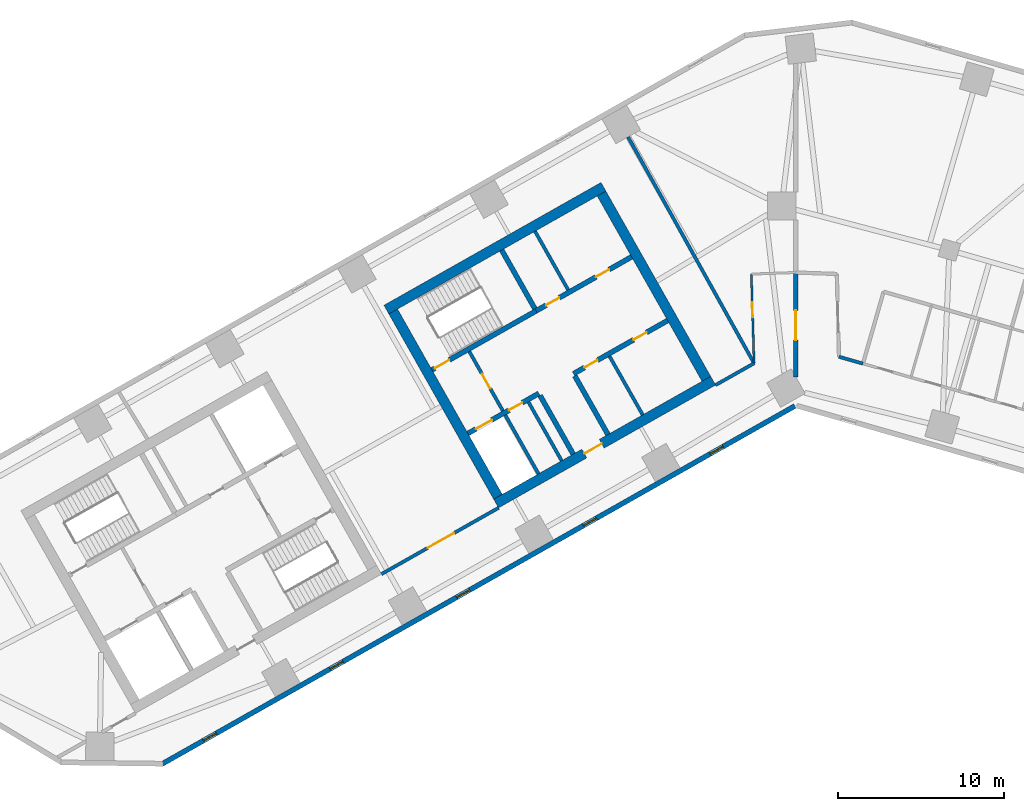
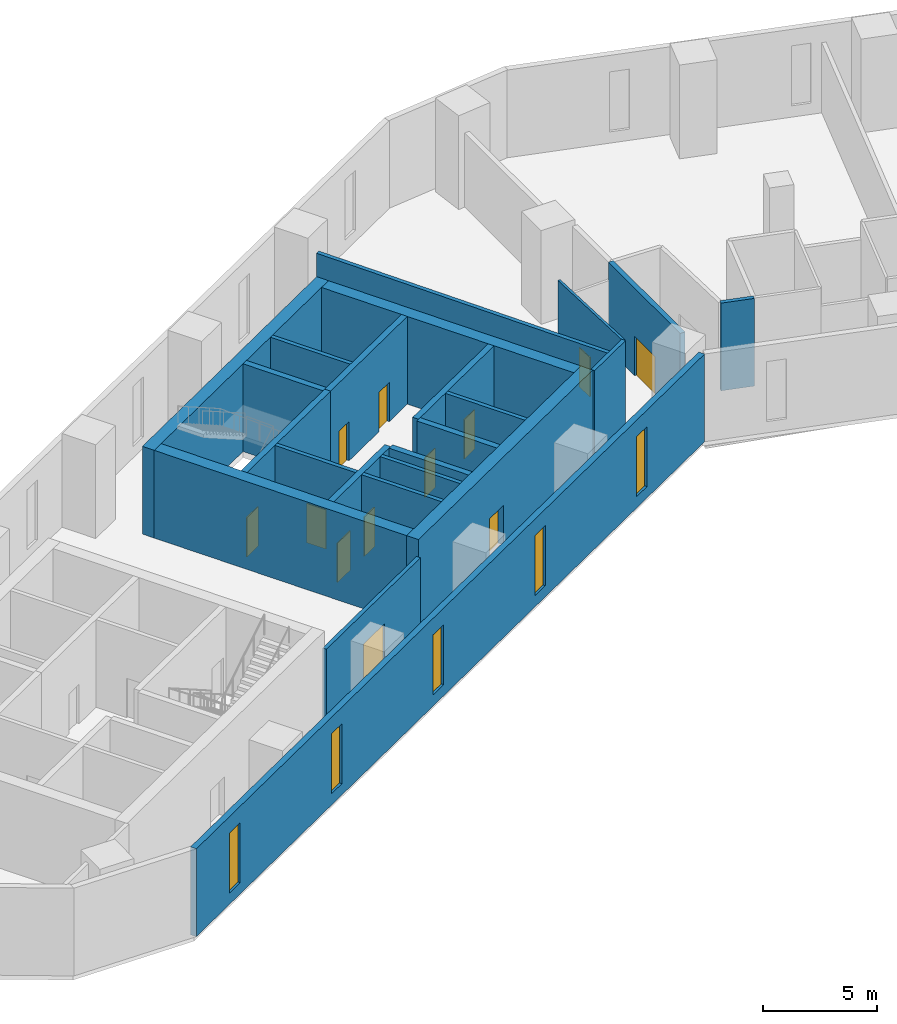
# One storey, part 4 of 10: 23 walls, 12 doors, 5 windows, 17 openings.
"""IFC4 building model written with IfcOpenShell, lengths in metres."""

from ifc_helpers import new_model, si_unit, direction, frame, frame_2d, origin, place, context, subcontext, project, spatial, rectangle, extrude, material, layer, layer_set, type_object, element, fill, save


model = new_model("IFC4")

# Units and contexts
model_context = context("Model", 3, precision=1e-05, world=origin(), true_north=direction((0.0, 1.0)))
body_context = subcontext(model_context, "Body", "Model", "MODEL_VIEW")
ifc_project = project(units=[si_unit("LENGTHUNIT", "METRE"), si_unit("AREAUNIT", "SQUARE_METRE"), si_unit("VOLUMEUNIT", "CUBIC_METRE"), si_unit("PLANEANGLEUNIT", "RADIAN"), si_unit("MASSUNIT", "GRAM", prefix="KILO")], contexts=[model_context])

# Site, building, storey
site_placement = place(None, origin())
site = spatial("IfcSite", under=ifc_project, at=site_placement, CompositionType="ELEMENT")
building_placement = place(site_placement, origin())
building = spatial("IfcBuilding", under=site, at=building_placement, Name="Binnacle Exchange Tower", CompositionType="ELEMENT")
storey_placement = place(building_placement, frame((0.0, 0.0, 61.5)))
storey = spatial("IfcBuildingStorey", under=building, at=storey_placement, Name="L12", CompositionType="ELEMENT", Elevation=61.5)

# Walls
ifc_material_1 = material(Name="Gypsum partition fire rated")
ifc_layer_1 = layer(ifc_material_1, 0.199951171875)
ifc_layer_set_1 = layer_set([ifc_layer_1], Name="Core partition 200")
wall_type_1 = type_object("IfcWallType", Name="Core partition 200", PredefinedType="PARTITIONING", material=ifc_layer_set_1)
for number, where, z_axis, x_axis, name in (
    (1, (-15.6845703125, 58.4794921875, 0.0), (0.0, 0.0, 1.0), (0.49241474071, -0.870360685654, 0.0), "Core wall CRWC17"),
    (2, (-11.201904296875, 50.96240234375, 0.0), (0.0, 0.0, 1.0), (0.49241474071, -0.870360685654, 0.0), "Core wall CRWC19"),
):
    element("IfcWall", number, at=place(storey_placement, frame(where, z_axis=z_axis, x_axis=x_axis)), inside=storey, type_object=wall_type_1, Name=name, PredefinedType="PARTITIONING", context=body_context, shape_type="SweptSolid", body=[
        extrude(rectangle(XDim=4.05029296875, YDim=0.199951171875, at=frame_2d((2.025146484375, 0.0))), origin(), (0.0, 0.0, 1.0), 4.679931640625),
    ])

# Wall, openings, doors
ifc_material_2 = material(Name="Concrete C70/85", Category="concrete")
ifc_layer_2 = layer(ifc_material_2, 0.300048828125)
ifc_layer_set_2 = layer_set([ifc_layer_2], Name="Core wall - front 300")
wall_type_2 = type_object("IfcWallType", Name="Core wall - front 300", PredefinedType="SOLIDWALL", material=ifc_layer_set_2)
wall_1_placement = place(storey_placement, frame((-19.718017578125, 46.31640625, 0.0), z_axis=(0.0, 0.0, 1.0), x_axis=(0.870353963862, 0.492426621528, 0.0)))
wall_1 = element("IfcWall", 3, at=wall_1_placement, inside=storey, type_object=wall_type_2, Name="Core wall CRWC2", PredefinedType="SOLIDWALL", context=body_context, shape_type="SweptSolid", body=[
    extrude(rectangle(XDim=4.89990234375, YDim=0.300048828125, at=frame_2d((2.449951171875, 0.0))), origin(), (0.0, 0.0, 1.0), 4.679931640625),
])
opening_1_placement = place(wall_1_placement, frame((0.550048828125, 0.0, 0.0)))
opening_1 = element("IfcOpeningElement", 4, at=opening_1_placement, cuts=wall_1, Name="Opening LD14", PredefinedType="OPENING", context=body_context, shape_type="SweptSolid", body=[
    extrude(rectangle(XDim=1.10009765625, YDim=2.10009765625, at=frame_2d((0.550048828125, 1.050048828125))), frame((0.0, 0.159912109375, 0.0), z_axis=(0.0, -1.0, 0.0), x_axis=(1.0, 0.0, 0.0)), (0.0, 0.0, 1.0), 0.320068359375),
])
opening_2_placement = place(wall_1_placement, frame((2.85009765625, 0.0, 0.0)))
opening_2 = element("IfcOpeningElement", 5, at=opening_2_placement, cuts=wall_1, Name="Opening DC14", PredefinedType="OPENING", context=body_context, shape_type="SweptSolid", body=[
    extrude(rectangle(XDim=0.89990234375, YDim=2.10009765625, at=frame_2d((0.449951171875, 1.050048828125))), frame((0.0, 0.159912109375, 0.0), z_axis=(0.0, -1.0, 0.0), x_axis=(1.0, 0.0, 0.0)), (0.0, 0.0, 1.0), 0.320068359375),
])
ifc_material_3 = material(Name="Steel door leaf", Category="steel")
door_type_1 = type_object("IfcDoorType", Name="Fire door - lift landing 1100", OperationType="NOTDEFINED", PredefinedType="DOOR", material=ifc_material_3)
door_1_placement = place(opening_1_placement, origin())
door_1 = element("IfcDoor", 6, at=door_1_placement, inside=storey, type_object=door_type_1, Name="Landing door LD14 L12", OperationType="DOUBLE_DOOR_SLIDING", OverallHeight=2.10009765625, OverallWidth=1.10009765625, PredefinedType="DOOR", context=body_context, shape_type="SweptSolid", body=[
    extrude(rectangle(XDim=1.10009765625, YDim=2.10009765625, at=frame_2d((0.550048828125, 1.050048828125))), frame((0.0, 0.02490234375, 0.0), z_axis=(0.0, -1.0, 0.0), x_axis=(1.0, 0.0, 0.0)), (0.0, 0.0, 1.0), 0.050048828125),
])
fill(opening_1, door_1)
door_type_2 = type_object("IfcDoorType", Name="Fire door 900", OperationType="NOTDEFINED", PredefinedType="DOOR", material=ifc_material_3)
door_2_placement = place(opening_2_placement, frame((0.89990234375, 0.0, 0.0), z_axis=(0.0, 0.0, 1.0), x_axis=(-1.0, 0.0, 0.0)))
door_2 = element("IfcDoor", 7, at=door_2_placement, inside=storey, type_object=door_type_2, Name="Core room door ELECTRICAL ROOM", OperationType="SINGLE_SWING_LEFT", OverallHeight=2.10009765625, OverallWidth=0.89990234375, PredefinedType="DOOR", context=body_context, shape_type="SweptSolid", body=[
    extrude(rectangle(XDim=0.89990234375, YDim=2.10009765625, at=frame_2d((0.449951171875, 1.050048828125))), frame((0.0, 0.02490234375, 0.0), z_axis=(0.0, -1.0, 0.0), x_axis=(1.0, 0.0, 0.0)), (0.0, 0.0, 1.0), 0.050048828125),
])
fill(opening_2, door_2)

wall_2_placement = place(storey_placement, frame((-13.364501953125, 49.910888671875, 0.0), z_axis=(0.0, 0.0, 1.0), x_axis=(0.870340995471, 0.49244954219, 0.0)))
wall_2 = element("IfcWall", 8, at=wall_2_placement, inside=storey, type_object=wall_type_2, Name="Core wall CRWC3", PredefinedType="SOLIDWALL", context=body_context, shape_type="SweptSolid", body=[
    extrude(rectangle(XDim=6.5, YDim=0.300048828125, at=frame_2d((3.25, 0.0))), origin(), (0.0, 0.0, 1.0), 4.679931640625),
])
opening_3_placement = place(wall_2_placement, frame((0.75, 0.0, 0.0)))
opening_3 = element("IfcOpeningElement", 9, at=opening_3_placement, cuts=wall_2, Name="Opening DC18", PredefinedType="OPENING", context=body_context, shape_type="SweptSolid", body=[
    extrude(rectangle(XDim=0.89990234375, YDim=2.10009765625, at=frame_2d((0.449951171875, 1.050048828125))), frame((0.0, 0.159912109375, 0.0), z_axis=(0.0, -1.0, 0.0), x_axis=(1.0, 0.0, 0.0)), (0.0, 0.0, 1.0), 0.320068359375),
])
opening_4_placement = place(wall_2_placement, frame((4.14990234375, 0.0, 0.0)))
opening_4 = element("IfcOpeningElement", 10, at=opening_4_placement, cuts=wall_2, Name="Opening DC19", PredefinedType="OPENING", context=body_context, shape_type="SweptSolid", body=[
    extrude(rectangle(XDim=0.89990234375, YDim=2.10009765625, at=frame_2d((0.449951171875, 1.050048828125))), frame((0.0, 0.159912109375, 0.0), z_axis=(0.0, -1.0, 0.0), x_axis=(1.0, 0.0, 0.0)), (0.0, 0.0, 1.0), 0.320068359375),
])
door_3_placement = place(opening_3_placement, frame((0.89990234375, 0.0, 0.0), z_axis=(0.0, 0.0, 1.0), x_axis=(-1.0, 0.0, 0.0)))
door_3 = element("IfcDoor", 11, at=door_3_placement, inside=storey, type_object=door_type_2, Name="Core room door COMMS RISER ROOM", OperationType="SINGLE_SWING_RIGHT", OverallHeight=2.10009765625, OverallWidth=0.89990234375, PredefinedType="DOOR", context=body_context, shape_type="SweptSolid", body=[
    extrude(rectangle(XDim=0.89990234375, YDim=2.10009765625, at=frame_2d((0.449951171875, 1.050048828125))), frame((0.0, 0.02490234375, 0.0), z_axis=(0.0, -1.0, 0.0), x_axis=(1.0, 0.0, 0.0)), (0.0, 0.0, 1.0), 0.050048828125),
])
fill(opening_3, door_3)
door_4_placement = place(opening_4_placement, frame((0.89990234375, 0.0, 0.0), z_axis=(0.0, 0.0, 1.0), x_axis=(-1.0, 0.0, 0.0)))
door_4 = element("IfcDoor", 12, at=door_4_placement, inside=storey, type_object=door_type_2, Name="Core room door TELECOM RISER ROOM", OperationType="SINGLE_SWING_LEFT", OverallHeight=2.10009765625, OverallWidth=0.89990234375, PredefinedType="DOOR", context=body_context, shape_type="SweptSolid", body=[
    extrude(rectangle(XDim=0.89990234375, YDim=2.10009765625, at=frame_2d((0.449951171875, 1.050048828125))), frame((0.0, 0.02490234375, 0.0), z_axis=(0.0, -1.0, 0.0), x_axis=(1.0, 0.0, 0.0)), (0.0, 0.0, 1.0), 0.050048828125),
])
fill(opening_4, door_4)

wall_3_placement = place(storey_placement, frame((-15.6181640625, 53.69140625, 0.0), z_axis=(0.0, 0.0, 1.0), x_axis=(0.870356769198, 0.492421663121, 0.0)))
wall_3 = element("IfcWall", 13, at=wall_3_placement, inside=storey, type_object=wall_type_2, Name="Core wall CRWC5", PredefinedType="SOLIDWALL", context=body_context, shape_type="SweptSolid", body=[
    extrude(rectangle(XDim=6.60009765625, YDim=0.300048828125, at=frame_2d((3.300048828125, 0.0))), origin(), (0.0, 0.0, 1.0), 4.679931640625),
])
opening_5_placement = place(wall_3_placement, frame((0.699951171875, 0.0, 0.0)))
opening_5 = element("IfcOpeningElement", 14, at=opening_5_placement, cuts=wall_3, Name="Opening DC10", PredefinedType="OPENING", context=body_context, shape_type="SweptSolid", body=[
    extrude(rectangle(XDim=0.89990234375, YDim=2.10009765625, at=frame_2d((0.449951171875, 1.050048828125))), frame((0.0, 0.159912109375, 0.0), z_axis=(0.0, -1.0, 0.0), x_axis=(1.0, 0.0, 0.0)), (0.0, 0.0, 1.0), 0.320068359375),
])
opening_6_placement = place(wall_3_placement, frame((4.14990234375, 0.0, 0.0)))
opening_6 = element("IfcOpeningElement", 15, at=opening_6_placement, cuts=wall_3, Name="Opening DC11", PredefinedType="OPENING", context=body_context, shape_type="SweptSolid", body=[
    extrude(rectangle(XDim=0.89990234375, YDim=2.10009765625, at=frame_2d((0.449951171875, 1.050048828125))), frame((0.0, 0.159912109375, 0.0), z_axis=(0.0, -1.0, 0.0), x_axis=(1.0, 0.0, 0.0)), (0.0, 0.0, 1.0), 0.320068359375),
])
door_5_placement = place(opening_5_placement, origin())
door_5 = element("IfcDoor", 16, at=door_5_placement, inside=storey, type_object=door_type_2, Name="Core room door FIBRE ENTRY ROOM", OperationType="SINGLE_SWING_LEFT", OverallHeight=2.10009765625, OverallWidth=0.89990234375, PredefinedType="DOOR", context=body_context, shape_type="SweptSolid", body=[
    extrude(rectangle(XDim=0.89990234375, YDim=2.10009765625, at=frame_2d((0.449951171875, 1.050048828125))), frame((0.0, 0.02490234375, 0.0), z_axis=(0.0, -1.0, 0.0), x_axis=(1.0, 0.0, 0.0)), (0.0, 0.0, 1.0), 0.050048828125),
])
fill(opening_5, door_5)
door_6_placement = place(opening_6_placement, origin())
door_6 = element("IfcDoor", 17, at=door_6_placement, inside=storey, type_object=door_type_2, Name="Core room door PANTRY", OperationType="SINGLE_SWING_RIGHT", OverallHeight=2.10009765625, OverallWidth=0.89990234375, PredefinedType="DOOR", context=body_context, shape_type="SweptSolid", body=[
    extrude(rectangle(XDim=0.89990234375, YDim=2.10009765625, at=frame_2d((0.449951171875, 1.050048828125))), frame((0.0, 0.02490234375, 0.0), z_axis=(0.0, -1.0, 0.0), x_axis=(1.0, 0.0, 0.0)), (0.0, 0.0, 1.0), 0.050048828125),
])
fill(opening_6, door_6)

# Walls
for number, where, z_axis, x_axis, name in (
    (18, (-15.37939453125, 48.5986328125, 0.0), (0.0, 0.0, 1.0), (0.492394910396, -0.870371904542, 0.0), "Core wall CRWC13"),
    (19, (-13.29052734375, 49.780517578125, 0.0), (0.0, 0.0, 1.0), (0.492394910396, -0.870371904542, 0.0), "Core wall CRWC15"),
):
    element("IfcWall", number, at=place(storey_placement, frame(where, z_axis=z_axis, x_axis=x_axis)), inside=storey, type_object=wall_type_2, Name=name, PredefinedType="SOLIDWALL", context=body_context, shape_type="SweptSolid", body=[
        extrude(rectangle(XDim=4.0498046875, YDim=0.300048828125, at=frame_2d((2.02490234375, 0.0))), origin(), (0.0, 0.0, 1.0), 4.679931640625),
    ])

# Wall, opening, door
ifc_layer_3 = layer(ifc_material_2, 0.60009765625)
ifc_layer_set_3 = layer_set([ifc_layer_3], Name="Core wall - outer 600")
wall_type_3 = type_object("IfcWallType", Name="Core wall - outer 600", PredefinedType="SOLIDWALL", material=ifc_layer_set_3)
wall_4_placement = place(storey_placement, frame((-18.0244140625, 42.104248046875, 0.0), z_axis=(0.0, 0.0, 1.0), x_axis=(0.870360574057, 0.492414937962, 0.0)))
wall_4 = element("IfcWall", 20, at=wall_4_placement, inside=storey, type_object=wall_type_3, Name="Core wall CRWC1", PredefinedType="SOLIDWALL", context=body_context, shape_type="SweptSolid", body=[
    extrude(rectangle(XDim=15.0, YDim=0.60009765625, at=frame_2d((7.5, 0.0))), origin(), (0.0, 0.0, 1.0), 4.679931640625),
])
opening_7_placement = place(wall_4_placement, frame((6.10009765625, 0.0, 0.0)))
opening_7 = element("IfcOpeningElement", 21, at=opening_7_placement, cuts=wall_4, Name="Opening DC7", PredefinedType="OPENING", context=body_context, shape_type="SweptSolid", body=[
    extrude(rectangle(XDim=1.199951171875, YDim=2.10009765625, at=frame_2d((0.60009765625, 1.050048828125))), frame((0.0, 0.31005859375, 0.0), z_axis=(0.0, -1.0, 0.0), x_axis=(1.0, 0.0, 0.0)), (0.0, 0.0, 1.0), 0.6201171875),
])
door_type_3 = type_object("IfcDoorType", Name="Fire door 1200", OperationType="NOTDEFINED", PredefinedType="DOOR", material=ifc_material_3)
door_7_placement = place(opening_7_placement, frame((1.199951171875, 0.0, 0.0), z_axis=(0.0, 0.0, 1.0), x_axis=(-1.0, 0.0, 0.0)))
door_7 = element("IfcDoor", 22, at=door_7_placement, inside=storey, type_object=door_type_3, Name="Lift lobby entrance door core C", OperationType="SINGLE_SWING_RIGHT", OverallHeight=2.10009765625, OverallWidth=1.199951171875, PredefinedType="DOOR", context=body_context, shape_type="SweptSolid", body=[
    extrude(rectangle(XDim=1.199951171875, YDim=2.10009765625, at=frame_2d((0.60009765625, 1.050048828125))), frame((0.0, 0.02490234375, 0.0), z_axis=(0.0, -1.0, 0.0), x_axis=(1.0, 0.0, 0.0)), (0.0, 0.0, 1.0), 0.050048828125),
])
fill(opening_7, door_7)

# Walls
wall_5_placement = place(storey_placement, frame((-24.622802734375, 53.76708984375, 0.0), z_axis=(0.0, 0.0, 1.0), x_axis=(0.870356627484, 0.492421913601, 0.0)))
element("IfcWall", 23, at=wall_5_placement, inside=storey, type_object=wall_type_3, Name="Core wall CRWC6", PredefinedType="SOLIDWALL", context=body_context, shape_type="SweptSolid", body=[
    extrude(rectangle(XDim=14.999755859375, YDim=0.60009765625, at=frame_2d((7.5, 0.0))), origin(), (0.0, 0.0, 1.0), 4.679931640625),
])
wall_6_placement = place(storey_placement, frame((-24.214111328125, 53.653564453125, 0.0), z_axis=(0.0, 0.0, 1.0), x_axis=(0.492441221355, -0.870345703448, 0.0)))
element("IfcWall", 24, at=wall_6_placement, inside=storey, type_object=wall_type_3, Name="Core wall CRWC7", PredefinedType="SOLIDWALL", context=body_context, shape_type="SweptSolid", body=[
    extrude(rectangle(XDim=12.800048828125, YDim=0.60009765625, at=frame_2d((6.39990234375, 0.0))), origin(), (0.0, 0.0, 1.0), 4.679931640625),
])
wall_7_placement = place(storey_placement, frame((-11.680908203125, 60.744384765625, 0.0), z_axis=(0.0, 0.0, 1.0), x_axis=(0.492426772896, -0.870353878221, 0.0)))
element("IfcWall", 25, at=wall_7_placement, inside=storey, type_object=wall_type_3, Name="Core wall CRWC24", PredefinedType="SOLIDWALL", context=body_context, shape_type="SweptSolid", body=[
    extrude(rectangle(XDim=12.7998046875, YDim=0.60009765625, at=frame_2d((6.39990234375, 0.0))), origin(), (0.0, 0.0, 1.0), 4.679931640625),
])

# Wall, opening, door
ifc_layer_4 = layer(ifc_material_2, 0.300048828125)
ifc_layer_set_4 = layer_set([ifc_layer_4], Name="Core wall - stair 300")
wall_type_4 = type_object("IfcWallType", Name="Core wall - stair 300", PredefinedType="SOLIDWALL", material=ifc_layer_set_4)
wall_8_placement = place(storey_placement, frame((-21.884765625, 50.14599609375, 0.0), z_axis=(0.0, 0.0, 1.0), x_axis=(0.870359411463, 0.492416992881, 0.0)))
wall_8 = element("IfcWall", 26, at=wall_8_placement, inside=storey, type_object=wall_type_4, Name="Core wall CRWC4", PredefinedType="SOLIDWALL", context=body_context, shape_type="SweptSolid", body=[
    extrude(rectangle(XDim=7.199951171875, YDim=0.300048828125, at=frame_2d((3.60009765625, 0.0))), origin(), (0.0, 0.0, 1.0), 4.679931640625),
])
opening_8_placement = place(wall_8_placement, frame((0.199951171875, 0.0, 0.0)))
opening_8 = element("IfcOpeningElement", 27, at=opening_8_placement, cuts=wall_8, Name="Opening DC1", PredefinedType="OPENING", context=body_context, shape_type="SweptSolid", body=[
    extrude(rectangle(XDim=1.0, YDim=2.10009765625, at=frame_2d((0.5, 1.050048828125))), frame((0.0, 0.159912109375, 0.0), z_axis=(0.0, -1.0, 0.0), x_axis=(1.0, 0.0, 0.0)), (0.0, 0.0, 1.0), 0.320068359375),
])
door_type_4 = type_object("IfcDoorType", Name="Fire door 1000", OperationType="NOTDEFINED", PredefinedType="DOOR", material=ifc_material_3)
door_8_placement = place(opening_8_placement, origin())
door_8 = element("IfcDoor", 28, at=door_8_placement, inside=storey, type_object=door_type_4, Name="Stair door ST-C1", OperationType="SINGLE_SWING_LEFT", OverallHeight=2.10009765625, OverallWidth=1.0, PredefinedType="DOOR", context=body_context, shape_type="SweptSolid", body=[
    extrude(rectangle(XDim=1.0, YDim=2.10009765625, at=frame_2d((0.5, 1.050048828125))), frame((0.0, 0.02490234375, 0.0), z_axis=(0.0, -1.0, 0.0), x_axis=(1.0, 0.0, 0.0)), (0.0, 0.0, 1.0), 0.050048828125),
])
fill(opening_8, door_8)

# Wall
wall_9_placement = place(storey_placement, frame((-17.686279296875, 57.3466796875, 0.0), z_axis=(0.0, 0.0, 1.0), x_axis=(0.492420746998, -0.870357287513, 0.0)))
element("IfcWall", 29, at=wall_9_placement, inside=storey, type_object=wall_type_4, Name="Core wall CRWC14", PredefinedType="SOLIDWALL", context=body_context, shape_type="SweptSolid", body=[
    extrude(rectangle(XDim=4.049560546875, YDim=0.300048828125, at=frame_2d((2.02490234375, 0.0))), origin(), (0.0, 0.0, 1.0), 4.679931640625),
])

# Wall, openings, windows
ifc_material_4 = material(Name="Bronze aluminium cladding", Category="aluminium")
ifc_layer_5 = layer(ifc_material_4, 0.300048828125)
ifc_layer_set_5 = layer_set([ifc_layer_5], Name="External wall - spandrel 300")
wall_type_5 = type_object("IfcWallType", Name="External wall - spandrel 300", PredefinedType="STANDARD", material=ifc_layer_set_5)
wall_10_placement = place(storey_placement, frame((-0.0546875, 47.968994140625, 0.0), z_axis=(0.0, 0.0, 1.0), x_axis=(-0.870355730478, -0.492423499058, 0.0)))
wall_10 = element("IfcWall", 30, at=wall_10_placement, inside=storey, type_object=wall_type_5, Name="External wall EW-F07 L12", PredefinedType="STANDARD", context=body_context, shape_type="SweptSolid", body=[
    extrude(rectangle(XDim=43.750244140625, YDim=0.300048828125, at=frame_2d((21.875, 0.0))), origin(), (0.0, 0.0, 1.0), 4.679931640625),
])
opening_9_placement = place(wall_10_placement, frame((39.976806640625, 0.0, 0.60009765625)))
opening_9 = element("IfcOpeningElement", 31, at=opening_9_placement, cuts=wall_10, Name="Opening WS1", PredefinedType="OPENING", context=body_context, shape_type="SweptSolid", body=[
    extrude(rectangle(XDim=0.89990234375, YDim=3.199951171875, at=frame_2d((0.449951171875, 1.60009765625))), frame((0.0, 0.159912109375, 0.0), z_axis=(0.0, -1.0, 0.0), x_axis=(1.0, 0.0, 0.0)), (0.0, 0.0, 1.0), 0.320068359375),
])
opening_10_placement = place(wall_10_placement, frame((31.222412109375, 0.0, 0.60009765625)))
opening_10 = element("IfcOpeningElement", 32, at=opening_10_placement, cuts=wall_10, Name="Opening WS1", PredefinedType="OPENING", context=body_context, shape_type="SweptSolid", body=[
    extrude(rectangle(XDim=0.89990234375, YDim=3.199951171875, at=frame_2d((0.449951171875, 1.60009765625))), frame((0.0, 0.159912109375, 0.0), z_axis=(0.0, -1.0, 0.0), x_axis=(1.0, 0.0, 0.0)), (0.0, 0.0, 1.0), 0.320068359375),
])
opening_11_placement = place(wall_10_placement, frame((22.4677734375, 0.0, 0.60009765625)))
opening_11 = element("IfcOpeningElement", 33, at=opening_11_placement, cuts=wall_10, Name="Opening WS1", PredefinedType="OPENING", context=body_context, shape_type="SweptSolid", body=[
    extrude(rectangle(XDim=0.89990234375, YDim=3.199951171875, at=frame_2d((0.449951171875, 1.60009765625))), frame((0.0, 0.159912109375, 0.0), z_axis=(0.0, -1.0, 0.0), x_axis=(1.0, 0.0, 0.0)), (0.0, 0.0, 1.0), 0.320068359375),
])
opening_12_placement = place(wall_10_placement, frame((13.713134765625, 0.0, 0.60009765625)))
opening_12 = element("IfcOpeningElement", 34, at=opening_12_placement, cuts=wall_10, Name="Opening WS1", PredefinedType="OPENING", context=body_context, shape_type="SweptSolid", body=[
    extrude(rectangle(XDim=0.89990234375, YDim=3.199951171875, at=frame_2d((0.449951171875, 1.60009765625))), frame((0.0, 0.159912109375, 0.0), z_axis=(0.0, -1.0, 0.0), x_axis=(1.0, 0.0, 0.0)), (0.0, 0.0, 1.0), 0.320068359375),
])
opening_13_placement = place(wall_10_placement, frame((4.958740234375, 0.0, 0.60009765625)))
opening_13 = element("IfcOpeningElement", 35, at=opening_13_placement, cuts=wall_10, Name="Opening WS1", PredefinedType="OPENING", context=body_context, shape_type="SweptSolid", body=[
    extrude(rectangle(XDim=0.89990234375, YDim=3.199951171875, at=frame_2d((0.449951171875, 1.60009765625))), frame((0.0, 0.159912109375, 0.0), z_axis=(0.0, -1.0, 0.0), x_axis=(1.0, 0.0, 0.0)), (0.0, 0.0, 1.0), 0.320068359375),
])
ifc_material_5 = material(Name="Bronze anodised aluminium frame", Category="aluminium")
window_type = type_object("IfcWindowType", Name="WS1 WINDOW 900x3200", PartitioningType="SINGLE_PANEL", PredefinedType="WINDOW", material=ifc_material_5)
window_1_placement = place(opening_9_placement, origin())
window_1 = element("IfcWindow", 36, at=window_1_placement, inside=storey, type_object=window_type, Name="Window WS1 L12", OverallHeight=3.199951171875, OverallWidth=0.89990234375, PartitioningType="SINGLE_PANEL", PredefinedType="WINDOW", context=body_context, shape_type="SweptSolid", body=[
    extrude(rectangle(XDim=0.89990234375, YDim=3.199951171875, at=frame_2d((0.449951171875, 1.60009765625))), frame((0.0, 0.030029296875, 0.0), z_axis=(0.0, -1.0, 0.0), x_axis=(1.0, 0.0, 0.0)), (0.0, 0.0, 1.0), 0.06005859375),
])
fill(opening_9, window_1)
window_2_placement = place(opening_10_placement, origin())
window_2 = element("IfcWindow", 37, at=window_2_placement, inside=storey, type_object=window_type, Name="Window WS1 L12", OverallHeight=3.199951171875, OverallWidth=0.89990234375, PartitioningType="SINGLE_PANEL", PredefinedType="WINDOW", context=body_context, shape_type="SweptSolid", body=[
    extrude(rectangle(XDim=0.89990234375, YDim=3.199951171875, at=frame_2d((0.449951171875, 1.60009765625))), frame((0.0, 0.030029296875, 0.0), z_axis=(0.0, -1.0, 0.0), x_axis=(1.0, 0.0, 0.0)), (0.0, 0.0, 1.0), 0.06005859375),
])
fill(opening_10, window_2)
window_3_placement = place(opening_11_placement, origin())
window_3 = element("IfcWindow", 38, at=window_3_placement, inside=storey, type_object=window_type, Name="Window WS1 L12", OverallHeight=3.199951171875, OverallWidth=0.89990234375, PartitioningType="SINGLE_PANEL", PredefinedType="WINDOW", context=body_context, shape_type="SweptSolid", body=[
    extrude(rectangle(XDim=0.89990234375, YDim=3.199951171875, at=frame_2d((0.449951171875, 1.60009765625))), frame((0.0, 0.030029296875, 0.0), z_axis=(0.0, -1.0, 0.0), x_axis=(1.0, 0.0, 0.0)), (0.0, 0.0, 1.0), 0.06005859375),
])
fill(opening_11, window_3)
window_4_placement = place(opening_12_placement, origin())
window_4 = element("IfcWindow", 39, at=window_4_placement, inside=storey, type_object=window_type, Name="Window WS1 L12", OverallHeight=3.199951171875, OverallWidth=0.89990234375, PartitioningType="SINGLE_PANEL", PredefinedType="WINDOW", context=body_context, shape_type="SweptSolid", body=[
    extrude(rectangle(XDim=0.89990234375, YDim=3.199951171875, at=frame_2d((0.449951171875, 1.60009765625))), frame((0.0, 0.030029296875, 0.0), z_axis=(0.0, -1.0, 0.0), x_axis=(1.0, 0.0, 0.0)), (0.0, 0.0, 1.0), 0.06005859375),
])
fill(opening_12, window_4)
window_5_placement = place(opening_13_placement, origin())
window_5 = element("IfcWindow", 40, at=window_5_placement, inside=storey, type_object=window_type, Name="Window WS1 L12", OverallHeight=3.199951171875, OverallWidth=0.89990234375, PartitioningType="SINGLE_PANEL", PredefinedType="WINDOW", context=body_context, shape_type="SweptSolid", body=[
    extrude(rectangle(XDim=0.89990234375, YDim=3.199951171875, at=frame_2d((0.449951171875, 1.60009765625))), frame((0.0, 0.030029296875, 0.0), z_axis=(0.0, -1.0, 0.0), x_axis=(1.0, 0.0, 0.0)), (0.0, 0.0, 1.0), 0.06005859375),
])
fill(opening_13, window_5)

# Wall, opening, door
ifc_material_6 = material(Name="Masonry block wall", Category="masonry")
ifc_layer_6 = layer(ifc_material_6, 0.199951171875)
ifc_layer_set_6 = layer_set([ifc_layer_6], Name="Fire wall - block 200")
wall_type_6 = type_object("IfcWallType", Name="Fire wall - block 200", PredefinedType="PARTITIONING", material=ifc_layer_set_6)
wall_11_placement = place(storey_placement, frame((-24.9189453125, 37.85888671875, 0.0), z_axis=(0.0, 0.0, 1.0), x_axis=(0.870357635969, 0.492420131098, 0.0)))
wall_11 = element("IfcWall", 41, at=wall_11_placement, inside=storey, type_object=wall_type_6, Name="Partition W04", PredefinedType="PARTITIONING", context=body_context, shape_type="SweptSolid", body=[
    extrude(rectangle(XDim=8.0908203125, YDim=0.199951171875, at=frame_2d((4.04541015625, 0.0))), origin(), (0.0, 0.0, 1.0), 3.748046875),
])
opening_14_placement = place(wall_11_placement, frame((3.199951171875, 0.0, 0.0)))
opening_14 = element("IfcOpeningElement", 42, at=opening_14_placement, cuts=wall_11, Name="Opening DL11-02", PredefinedType="OPENING", context=body_context, shape_type="SweptSolid", body=[
    extrude(rectangle(XDim=1.800048828125, YDim=2.10009765625, at=frame_2d((0.89990234375, 1.050048828125))), frame((0.0, 0.10986328125, 0.0), z_axis=(0.0, -1.0, 0.0), x_axis=(1.0, 0.0, 0.0)), (0.0, 0.0, 1.0), 0.219970703125),
])
door_type_5 = type_object("IfcDoorType", Name="Fire door 1800", OperationType="NOTDEFINED", PredefinedType="DOOR", material=ifc_material_3)
door_9_placement = place(opening_14_placement, origin())
door_9 = element("IfcDoor", 43, at=door_9_placement, inside=storey, type_object=door_type_5, Name="Door DL11-02", OperationType="DOUBLE_DOOR_SINGLE_SWING", OverallHeight=2.10009765625, OverallWidth=1.800048828125, PredefinedType="DOOR", context=body_context, shape_type="SweptSolid", body=[
    extrude(rectangle(XDim=1.800048828125, YDim=2.10009765625, at=frame_2d((0.89990234375, 1.050048828125))), frame((0.0, 0.02490234375, 0.0), z_axis=(0.0, -1.0, 0.0), x_axis=(1.0, 0.0, 0.0)), (0.0, 0.0, 1.0), 0.050048828125),
])
fill(opening_14, door_9)

# Walls
wall_12_placement = place(storey_placement, frame((-10.087890625, 64.155029296875, 0.0), z_axis=(0.0, 0.0, 1.0), x_axis=(0.486446127767, -0.873710572661, 0.0)))
element("IfcWall", 44, at=wall_12_placement, inside=storey, type_object=wall_type_6, Name="Partition W05", PredefinedType="PARTITIONING", context=body_context, shape_type="SweptSolid", body=[
    extrude(rectangle(XDim=15.583984375, YDim=0.199951171875, at=frame_2d((7.7919921875, 0.0))), origin(), (0.0, 0.0, 1.0), 3.760009765625),
])
wall_13_placement = place(storey_placement, frame((-4.821044921875, 49.22998046875, 0.0), z_axis=(0.0, 0.0, 1.0), x_axis=(0.870371217631, 0.492396124598, 0.0)))
element("IfcWall", 45, at=wall_13_placement, inside=storey, type_object=wall_type_6, Name="Partition W06", PredefinedType="PARTITIONING", context=body_context, shape_type="SweptSolid", body=[
    extrude(rectangle(XDim=2.65869140625, YDim=0.199951171875, at=frame_2d((1.329345703125, 0.0))), origin(), (0.0, 0.0, 1.0), 4.679931640625),
])
wall_14_placement = place(storey_placement, frame((2.60107421875, 50.931884765625, 0.0), z_axis=(0.0, 0.0, 1.0), x_axis=(0.961197773994, -0.27586018065, 0.0)))
element("IfcWall", 46, at=wall_14_placement, inside=storey, type_object=wall_type_6, Name="Partition W14", PredefinedType="PARTITIONING", context=body_context, shape_type="SweptSolid", body=[
    extrude(rectangle(XDim=1.5, YDim=0.199951171875, at=frame_2d((0.75, 0.0))), origin(), (0.0, 0.0, 1.0), 4.679931640625),
])

# Wall, opening, door
ifc_material_7 = material(Name="Concrete fire wall C30/37", Category="concrete")
ifc_layer_7 = layer(ifc_material_7, 0.25)
ifc_layer_set_7 = layer_set([ifc_layer_7], Name="Fire wall - compartment 250")
wall_type_7 = type_object("IfcWallType", Name="Fire wall - compartment 250", PredefinedType="PARTITIONING", material=ifc_layer_set_7)
wall_15_placement = place(storey_placement, frame((0.0, 49.72607421875, 0.0), z_axis=(0.0, 0.0, 1.0), x_axis=(0.0, 1.0, 0.0)))
wall_15 = element("IfcWall", 47, at=wall_15_placement, inside=storey, type_object=wall_type_7, Name="Fire Wall W09", PredefinedType="PARTITIONING", context=body_context, shape_type="SweptSolid", body=[
    extrude(rectangle(XDim=6.27392578125, YDim=0.25, at=frame_2d((3.136962890625, 0.0))), origin(), (0.0, 0.0, 1.0), 4.679931640625),
])
opening_15_placement = place(wall_15_placement, frame((2.199951171875, 0.0, 0.0)))
opening_15 = element("IfcOpeningElement", 48, at=opening_15_placement, cuts=wall_15, Name="Opening DL11-14", PredefinedType="OPENING", context=body_context, shape_type="SweptSolid", body=[
    extrude(rectangle(XDim=1.800048828125, YDim=2.10009765625, at=frame_2d((0.89990234375, 1.050048828125))), frame((0.0, 0.135009765625, 0.0), z_axis=(0.0, -1.0, 0.0), x_axis=(1.0, 0.0, 0.0)), (0.0, 0.0, 1.0), 0.27001953125),
])
door_10_placement = place(opening_15_placement, origin())
door_10 = element("IfcDoor", 49, at=door_10_placement, inside=storey, type_object=door_type_5, Name="Door DL11-14", OperationType="DOUBLE_DOOR_SINGLE_SWING", OverallHeight=2.10009765625, OverallWidth=1.800048828125, PredefinedType="DOOR", context=body_context, shape_type="SweptSolid", body=[
    extrude(rectangle(XDim=1.800048828125, YDim=2.10009765625, at=frame_2d((0.89990234375, 1.050048828125))), frame((0.0, 0.02490234375, 0.0), z_axis=(0.0, -1.0, 0.0), x_axis=(1.0, 0.0, 0.0)), (0.0, 0.0, 1.0), 0.050048828125),
])
fill(opening_15, door_10)

ifc_layer_8 = layer(ifc_material_6, 0.199951171875)
ifc_layer_set_8 = layer_set([ifc_layer_8], Name="Fire wall - vestibule 200")
wall_type_8 = type_object("IfcWallType", Name="Fire wall - vestibule 200", PredefinedType="PARTITIONING", material=ifc_layer_set_8)
wall_16_placement = place(storey_placement, frame((-19.635009765625, 51.246337890625, 0.0), z_axis=(0.0, 0.0, 1.0), x_axis=(0.492408451753, -0.87036424366, 0.0)))
wall_16 = element("IfcWall", 50, at=wall_16_placement, inside=storey, type_object=wall_type_8, Name="Core wall CRWC10", PredefinedType="PARTITIONING", context=body_context, shape_type="SweptSolid", body=[
    extrude(rectangle(XDim=4.099853515625, YDim=0.199951171875, at=frame_2d((2.0498046875, 0.0))), origin(), (0.0, 0.0, 1.0), 4.679931640625),
])
opening_16_placement = place(wall_16_placement, frame((1.550048828125, 0.0, 0.0)))
opening_16 = element("IfcOpeningElement", 51, at=opening_16_placement, cuts=wall_16, Name="Opening DC3", PredefinedType="OPENING", context=body_context, shape_type="SweptSolid", body=[
    extrude(rectangle(XDim=1.0, YDim=2.10009765625, at=frame_2d((0.5, 1.050048828125))), frame((0.0, 0.10986328125, 0.0), z_axis=(0.0, -1.0, 0.0), x_axis=(1.0, 0.0, 0.0)), (0.0, 0.0, 1.0), 0.219970703125),
])
door_11_placement = place(opening_16_placement, frame((1.0, 0.0, 0.0), z_axis=(0.0, 0.0, 1.0), x_axis=(-1.0, 0.0, 0.0)))
door_11 = element("IfcDoor", 52, at=door_11_placement, inside=storey, type_object=door_type_4, Name="Vestibule door VEST-W", OperationType="SINGLE_SWING_RIGHT", OverallHeight=2.10009765625, OverallWidth=1.0, PredefinedType="DOOR", context=body_context, shape_type="SweptSolid", body=[
    extrude(rectangle(XDim=1.0, YDim=2.10009765625, at=frame_2d((0.5, 1.050048828125))), frame((0.0, 0.02490234375, 0.0), z_axis=(0.0, -1.0, 0.0), x_axis=(1.0, 0.0, 0.0)), (0.0, 0.0, 1.0), 0.050048828125),
])
fill(opening_16, door_11)

ifc_material_8 = material(Name="Gypsum partition")
ifc_layer_9 = layer(ifc_material_8, 0.125)
ifc_layer_set_9 = layer_set([ifc_layer_9], Name="Partition 125")
wall_type_9 = type_object("IfcWallType", Name="Partition 125", PredefinedType="PARTITIONING", material=ifc_layer_set_9)
wall_17_placement = place(storey_placement, frame((-2.669921875, 55.904052734375, 0.0), z_axis=(0.0, 0.0, 1.0), x_axis=(0.030338701418, -0.999539675649, 0.0)))
wall_17 = element("IfcWall", 53, at=wall_17_placement, inside=storey, type_object=wall_type_9, Name="Partition W07", PredefinedType="PARTITIONING", context=body_context, shape_type="SweptSolid", body=[
    extrude(rectangle(XDim=5.367431640625, YDim=0.125, at=frame_2d((2.68359375, 0.0))), origin(), (0.0, 0.0, 1.0), 4.679931640625),
])
opening_17_placement = place(wall_17_placement, frame((1.699951171875, 0.0, 0.0)))
opening_17 = element("IfcOpeningElement", 54, at=opening_17_placement, cuts=wall_17, Name="Opening DL11-03", PredefinedType="OPENING", context=body_context, shape_type="SweptSolid", body=[
    extrude(rectangle(XDim=0.89990234375, YDim=2.10009765625, at=frame_2d((0.449951171875, 1.050048828125))), frame((0.0, 0.072509765625, 0.0), z_axis=(0.0, -1.0, 0.0), x_axis=(1.0, 0.0, 0.0)), (0.0, 0.0, 1.0), 0.14501953125),
])
ifc_material_9 = material(Name="Timber door leaf", Category="wood")
door_type_6 = type_object("IfcDoorType", Name="Door 900", OperationType="NOTDEFINED", PredefinedType="DOOR", material=ifc_material_9)
door_12_placement = place(opening_17_placement, frame((0.89990234375, 0.0, 0.0), z_axis=(0.0, 0.0, 1.0), x_axis=(-1.0, 0.0, 0.0)))
door_12 = element("IfcDoor", 55, at=door_12_placement, inside=storey, type_object=door_type_6, Name="Door DL11-03", OperationType="SINGLE_SWING_RIGHT", OverallHeight=2.10009765625, OverallWidth=0.89990234375, PredefinedType="DOOR", context=body_context, shape_type="SweptSolid", body=[
    extrude(rectangle(XDim=0.89990234375, YDim=2.10009765625, at=frame_2d((0.449951171875, 1.050048828125))), frame((0.0, 0.02490234375, 0.0), z_axis=(0.0, -1.0, 0.0), x_axis=(1.0, 0.0, 0.0)), (0.0, 0.0, 1.0), 0.050048828125),
])
fill(opening_17, door_12)

# Walls
ifc_layer_10 = layer(ifc_material_6, 0.199951171875)
ifc_layer_set_10 = layer_set([ifc_layer_10], Name="Riser wall 200")
wall_type_10 = type_object("IfcWallType", Name="Riser wall 200", PredefinedType="SOLIDWALL", material=ifc_layer_set_10)
wall_18_placement = place(storey_placement, frame((-16.07568359375, 48.20458984375, 0.0), z_axis=(0.0, 0.0, 1.0), x_axis=(0.492394910396, -0.870371904542, 0.0)))
element("IfcWall", 56, at=wall_18_placement, inside=storey, type_object=wall_type_10, Name="Core wall CRWC12", PredefinedType="SOLIDWALL", context=body_context, shape_type="SweptSolid", body=[
    extrude(rectangle(XDim=4.0498046875, YDim=0.199951171875, at=frame_2d((2.02490234375, 0.0))), origin(), (0.0, 0.0, 1.0), 4.679931640625),
])
ifc_layer_11 = layer(ifc_material_6, 0.199951171875)
ifc_layer_set_11 = layer_set([ifc_layer_11], Name="Shaft wall 200")
wall_type_11 = type_object("IfcWallType", Name="Shaft wall 200", PredefinedType="SOLIDWALL", material=ifc_layer_set_11)
wall_19_placement = place(storey_placement, frame((-17.468505859375, 47.416748046875, 0.0), z_axis=(0.0, 0.0, 1.0), x_axis=(0.492440575896, -0.870346068648, 0.0)))
element("IfcWall", 57, at=wall_19_placement, inside=storey, type_object=wall_type_11, Name="Core wall CRWC9", PredefinedType="SOLIDWALL", context=body_context, shape_type="SweptSolid", body=[
    extrude(rectangle(XDim=4.050048828125, YDim=0.199951171875, at=frame_2d((2.02490234375, 0.0))), origin(), (0.0, 0.0, 1.0), 4.679931640625),
])

save(model, "model.ifc")
